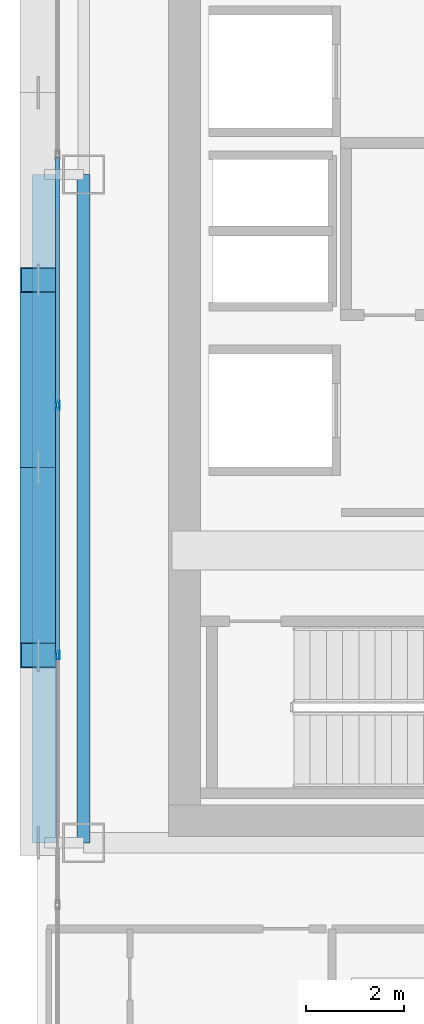
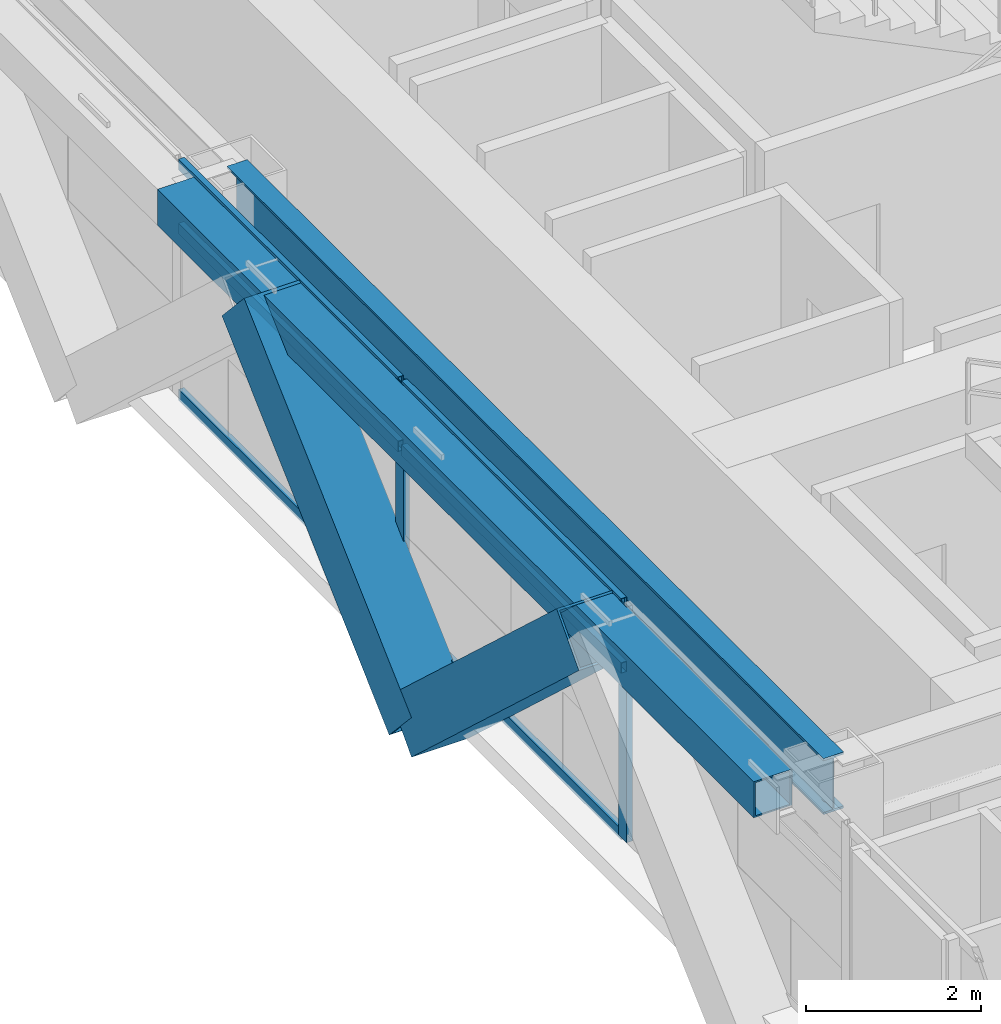
# One storey, part 6 of 36: 10 members, 2 beams, 1 element without a shape of its own.
"""IFC4 building model written with IfcOpenShell, lengths in metres."""

from ifc_helpers import new_model, si_unit, direction, frame, origin, origin_2d, place, context, subcontext, project, spatial, hollow_rectangle, i_section, extrude, source, transform, mapped, material, layer, layer_set, material_profile, profile_set, type_object, element, aggregate, save


model = new_model("IFC4")

# Units and contexts
model_context = context("Model", 3, precision=1e-05, world=origin(), true_north=direction((0.0, 1.0)))
body_context = subcontext(model_context, "Body", "Model", "MODEL_VIEW")
ifc_project = project(units=[si_unit("LENGTHUNIT", "METRE"), si_unit("AREAUNIT", "SQUARE_METRE"), si_unit("VOLUMEUNIT", "CUBIC_METRE"), si_unit("PLANEANGLEUNIT", "RADIAN"), si_unit("MASSUNIT", "GRAM", prefix="KILO")], contexts=[model_context])

# Site, building, storey
site_placement = place(None, origin())
site = spatial("IfcSite", under=ifc_project, at=site_placement, CompositionType="ELEMENT")
building_placement = place(site_placement, origin())
building = spatial("IfcBuilding", under=site, at=building_placement, Name="Ocotamira Hotel", CompositionType="ELEMENT")
storey_placement = place(building_placement, frame((0.0, 0.0, 147.60009765625)))
storey = spatial("IfcBuildingStorey", under=building, at=storey_placement, Name="L37", CompositionType="ELEMENT", Elevation=147.60009765625)

# Beams
ifc_material_1 = material(Name="Steel ASTM A992 Grade 50", Category="steel")
ifc_material_profile_1 = material_profile(ifc_material_1, i_section(OverallWidth=0.26611328125, OverallDepth=0.779052734375, WebThickness=0.0166015625, FlangeThickness=0.030029296875, FilletRadius=0.01806640625, at=origin_2d()), Name="W30X148")
ifc_profile_set_1 = profile_set([ifc_material_profile_1], Name="Steel ASTM A992 Grade 50")
beam_type_1 = type_object("IfcBeamType", Name="BM-GIRD-W30X148", PredefinedType="BEAM", material=ifc_profile_set_1)
shared_shape_1 = source(origin(), body_context, "Body", "SweptSolid", [
    extrude(i_section(OverallWidth=0.26611328125, OverallDepth=0.779052734375, WebThickness=0.0166015625, FlangeThickness=0.030029296875, FilletRadius=0.01806640625, at=origin_2d()), origin(), (0.0, 0.0, 1.0), 13.599853515625),
])
beam_1_placement = place(storey_placement, frame((8.949951171875, 14.550048828125, 2.890380859375), z_axis=(0.0, 1.0, 0.0), x_axis=(-1.0, 0.0, 0.0)))
element("IfcBeam", 1, at=beam_1_placement, inside=storey, type_object=beam_type_1, Name="L37 Beam X8.95 Y14.55-28.15", PredefinedType="BEAM", context=body_context, shape_type="MappedRepresentation", body=[
    mapped(shared_shape_1, transform((0.0, 0.0, 0.0), scale=1.0)),
])
ifc_material_2 = material(Name="Steel ASTM A500 Grade C", Category="steel")
ifc_material_profile_2 = material_profile(ifc_material_2, hollow_rectangle(XDim=0.5, YDim=0.5, WallThickness=0.02001953125, at=origin_2d()), Name="HSS500X500X20")
ifc_profile_set_2 = profile_set([ifc_material_profile_2], Name="Steel ASTM A500 Grade C")
beam_type_2 = type_object("IfcBeamType", Name="BM-SPAN-HSS500", PredefinedType="USERDEFINED", material=ifc_profile_set_2)
shared_shape_2 = source(origin(), body_context, "Body", "SweptSolid", [
    extrude(hollow_rectangle(XDim=0.5, YDim=0.5, WallThickness=0.02001953125, at=origin_2d()), origin(), (0.0, 0.0, 1.0), 13.599853515625),
])
beam_2_placement = place(storey_placement, frame((8.14990234375, 14.550048828125, 3.02978515625), z_axis=(0.0, 1.0, 0.0), x_axis=(-1.0, 0.0, 0.0)))
element("IfcBeam", 2, at=beam_2_placement, inside=storey, type_object=beam_type_2, Name="L37 Edge Spandrel W Y14.55-28.15", ObjectType="SPANDREL", PredefinedType="USERDEFINED", context=body_context, shape_type="MappedRepresentation", body=[
    mapped(shared_shape_2, transform((0.0, 0.0, 0.0), scale=1.0)),
])

# Members
ifc_material_3 = material(Name="Pale-metal coated steel ASTM A913 Grade 65", Category="steel")
ifc_material_profile_3 = material_profile(ifc_material_3, hollow_rectangle(XDim=0.75, YDim=0.75, WallThickness=0.028076171875, at=origin_2d()), Name="BOX750X750X28")
ifc_profile_set_3 = profile_set([ifc_material_profile_3], Name="Pale-metal coated steel ASTM A913 Grade 65")
member_type_1 = type_object("IfcMemberType", Name="MEM-EXO-BOX750", PredefinedType="BRACE", material=ifc_profile_set_3)
shared_shape_3 = source(origin(), body_context, "Body", "SweptSolid", [
    extrude(hollow_rectangle(XDim=0.75, YDim=0.75, WallThickness=0.028076171875, at=origin_2d()), origin(), (0.0, 0.0, 1.0), 5.19189453125),
])
for number, where, z_axis, x_axis, name in (
    (3, (8.030029296875, 22.183349609375, -0.489990234375), (0.0, -0.735118858477, 0.677938244909), (1.0, 0.0, 0.0), "L37 Exoskeleton Diagrid W0.2"),
    (4, (8.030029296875, 22.183349609375, -0.489990234375), (0.0, 0.735118858477, 0.677938244909), (-1.0, 0.0, 0.0), "L37 Exoskeleton Diagrid W1.1"),
):
    element("IfcMember", number, at=place(storey_placement, frame(where, z_axis=z_axis, x_axis=x_axis)), inside=storey, type_object=member_type_1, Name=name, PredefinedType="BRACE", context=body_context, shape_type="MappedRepresentation", body=[
        mapped(shared_shape_3, transform((0.0, 0.0, 0.0), scale=1.0)),
    ])

# Curtain wall, members
ifc_material_4 = material(Name="Anodised pale-metal aluminium and solar glass", Category="aluminium")
ifc_layer = layer(ifc_material_4, 0.179931640625)
ifc_layer_set = layer_set([ifc_layer], Name="Anodised pale-metal aluminium and solar glass")
curtain_wall_type = type_object("IfcCurtainWallType", Name="CW-SYS3-Z2", PredefinedType="NOTDEFINED", material=ifc_layer_set)
curtain_wall_placement = place(storey_placement, origin())
curtain_wall = element("IfcCurtainWall", 5, at=curtain_wall_placement, inside=storey, type_object=curtain_wall_type, Name="L37 Curtain Wall CW-3 CW-L37-W", PredefinedType="NOTDEFINED")
ifc_material_5 = material(Name="Anodised pale-metal aluminium 6063-T6", Category="aluminium")
ifc_material_profile_4 = material_profile(ifc_material_5, hollow_rectangle(XDim=0.074951171875, YDim=0.14990234375, WallThickness=0.006103515625, at=origin_2d()), Name="HSS150X75X6")
ifc_profile_set_4 = profile_set([ifc_material_profile_4], Name="Anodised pale-metal aluminium 6063-T6")
member_type_2 = type_object("IfcMemberType", Name="CWT-150X75", PredefinedType="USERDEFINED", material=ifc_profile_set_4)
shared_shape_4 = source(origin(), body_context, "Body", "SweptSolid", [
    extrude(hollow_rectangle(XDim=0.074951171875, YDim=0.14990234375, WallThickness=0.006103515625, at=origin_2d()), origin(), (0.0, 0.0, 1.0), 5.005859375),
])
member_1_placement = place(storey_placement, frame((8.419921875, 18.411376953125, 0.037353515625), z_axis=(0.0, 1.0, 0.0), x_axis=(-1.0, 0.0, 0.0)))
member_1 = element("IfcMember", 6, at=member_1_placement, type_object=member_type_2, Name="CW-3 transom 3.1", ObjectType="TRANSOM", PredefinedType="USERDEFINED", context=body_context, shape_type="MappedRepresentation", body=[
    mapped(shared_shape_4, transform((0.0, 0.0, 0.0), scale=1.0)),
])
member_2_placement = place(storey_placement, frame((8.419921875, 18.411376953125, 2.349853515625), z_axis=(0.0, 1.0, 0.0), x_axis=(-1.0, 0.0, 0.0)))
member_2 = element("IfcMember", 7, at=member_2_placement, type_object=member_type_2, Name="CW-3 transom 3.2", ObjectType="TRANSOM", PredefinedType="USERDEFINED", context=body_context, shape_type="MappedRepresentation", body=[
    mapped(shared_shape_4, transform((0.0, 0.0, 0.0), scale=1.0)),
])
member_3_placement = place(storey_placement, frame((8.419921875, 18.411376953125, 3.242431640625), z_axis=(0.0, 1.0, 0.0), x_axis=(-1.0, 0.0, 0.0)))
member_3 = element("IfcMember", 8, at=member_3_placement, type_object=member_type_2, Name="CW-3 transom 3.3", ObjectType="TRANSOM", PredefinedType="USERDEFINED", context=body_context, shape_type="MappedRepresentation", body=[
    mapped(shared_shape_4, transform((0.0, 0.0, 0.0), scale=1.0)),
])
member_4_placement = place(storey_placement, frame((8.419921875, 23.4970703125, 0.037353515625), z_axis=(0.0, 1.0, 0.0), x_axis=(-1.0, 0.0, 0.0)))
member_4 = element("IfcMember", 9, at=member_4_placement, type_object=member_type_2, Name="CW-3 transom 4.1", ObjectType="TRANSOM", PredefinedType="USERDEFINED", context=body_context, shape_type="MappedRepresentation", body=[
    mapped(shared_shape_4, transform((0.0, 0.0, 0.0), scale=1.0)),
])
member_5_placement = place(storey_placement, frame((8.419921875, 23.4970703125, 2.349853515625), z_axis=(0.0, 1.0, 0.0), x_axis=(-1.0, 0.0, 0.0)))
member_5 = element("IfcMember", 10, at=member_5_placement, type_object=member_type_2, Name="CW-3 transom 4.2", ObjectType="TRANSOM", PredefinedType="USERDEFINED", context=body_context, shape_type="MappedRepresentation", body=[
    mapped(shared_shape_4, transform((0.0, 0.0, 0.0), scale=1.0)),
])
member_6_placement = place(storey_placement, frame((8.419921875, 23.4970703125, 3.242431640625), z_axis=(0.0, 1.0, 0.0), x_axis=(-1.0, 0.0, 0.0)))
member_6 = element("IfcMember", 11, at=member_6_placement, type_object=member_type_2, Name="CW-3 transom 4.3", ObjectType="TRANSOM", PredefinedType="USERDEFINED", context=body_context, shape_type="MappedRepresentation", body=[
    mapped(shared_shape_4, transform((0.0, 0.0, 0.0), scale=1.0)),
])
ifc_material_profile_5 = material_profile(ifc_material_5, hollow_rectangle(XDim=0.080078125, YDim=0.179931640625, WallThickness=0.006103515625, at=origin_2d()), Name="HSS180X80X6")
ifc_profile_set_5 = profile_set([ifc_material_profile_5], Name="Anodised pale-metal aluminium 6063-T6")
member_type_3 = type_object("IfcMemberType", Name="CWM-180X75", PredefinedType="MULLION", material=ifc_profile_set_5)
shared_shape_5 = source(origin(), body_context, "Body", "SweptSolid", [
    extrude(hollow_rectangle(XDim=0.080078125, YDim=0.179931640625, WallThickness=0.006103515625, at=origin_2d()), origin(), (0.0, 0.0, 1.0), 3.27978515625),
])
member_7_placement = place(storey_placement, frame((8.419921875, 18.371337890625, 0.0), z_axis=(0.0, 0.0, 1.0), x_axis=(-1.0, 0.0, 0.0)))
member_7 = element("IfcMember", 12, at=member_7_placement, type_object=member_type_3, Name="CW-3 mullion 3", PredefinedType="MULLION", context=body_context, shape_type="MappedRepresentation", body=[
    mapped(shared_shape_5, transform((0.0, 0.0, 0.0), scale=1.0)),
])
member_8_placement = place(storey_placement, frame((8.419921875, 23.45703125, 0.0), z_axis=(0.0, 0.0, 1.0), x_axis=(-1.0, 0.0, 0.0)))
member_8 = element("IfcMember", 13, at=member_8_placement, type_object=member_type_3, Name="CW-3 mullion 4", PredefinedType="MULLION", context=body_context, shape_type="MappedRepresentation", body=[
    mapped(shared_shape_5, transform((0.0, 0.0, 0.0), scale=1.0)),
])
aggregate(curtain_wall, [member_7, member_8, member_1, member_2, member_3, member_4, member_5, member_6])

save(model, "model.ifc")
